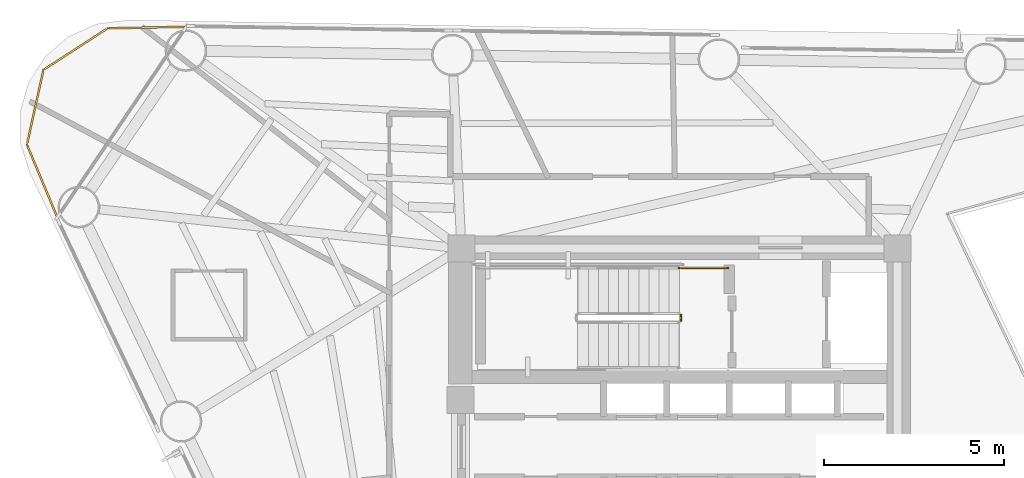
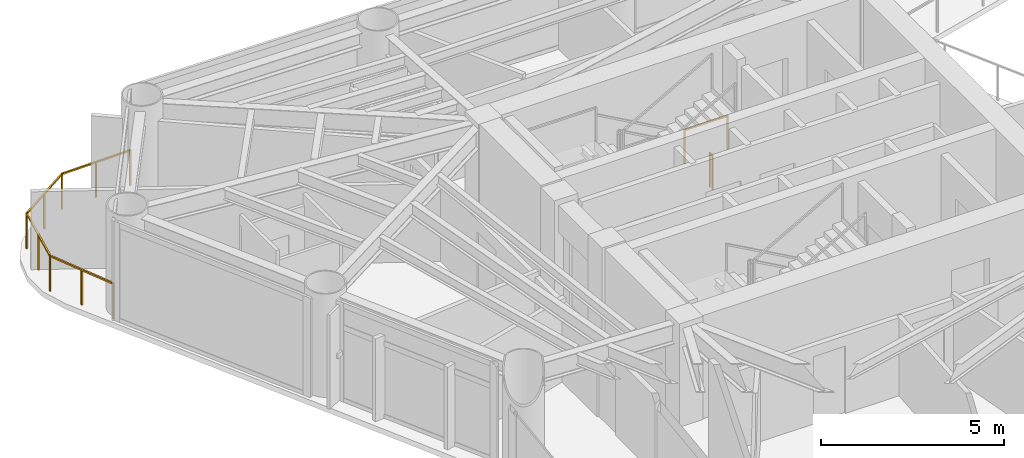
# One storey, part 8 of 9: 3 railings.
"""IFC4 building model written with IfcOpenShell, lengths in metres."""

from ifc_helpers import new_model, si_unit, direction, frame, origin, origin_2d, place, context, subcontext, project, spatial, rectangle, extrude, material, type_object, element, save


model = new_model("IFC4")

# Units and contexts
model_context = context("Model", 3, precision=1e-05, world=origin(), true_north=direction((0.0, 1.0)))
body_context = subcontext(model_context, "Body", "Model", "MODEL_VIEW")
ifc_project = project(units=[si_unit("LENGTHUNIT", "METRE"), si_unit("AREAUNIT", "SQUARE_METRE"), si_unit("VOLUMEUNIT", "CUBIC_METRE"), si_unit("PLANEANGLEUNIT", "RADIAN"), si_unit("MASSUNIT", "GRAM", prefix="KILO")], contexts=[model_context])

# Site, building, storey
site_placement = place(None, origin())
site = spatial("IfcSite", under=ifc_project, at=site_placement, CompositionType="ELEMENT")
building_placement = place(site_placement, origin())
building = spatial("IfcBuilding", under=site, at=building_placement, Name="Yunling Apex Tower", CompositionType="ELEMENT")
storey_placement = place(building_placement, frame((0.0, 0.0, 194.89990234375)))
storey = spatial("IfcBuildingStorey", under=building, at=storey_placement, Name="L47", CompositionType="ELEMENT", Elevation=194.89990234375)

# Railings
ifc_material_1 = material(Name="Bronze anodised aluminium", Category="aluminium")
railing_type_1 = type_object("IfcRailingType", Name="RL-BAL-1200", PredefinedType="BALUSTRADE", material=ifc_material_1)
railing_1_placement = place(storey_placement, frame((-17.253662109375, 6.364990234375, 0.0)))
element("IfcRailing", 1, at=railing_1_placement, inside=storey, type_object=railing_type_1, Name="RL-CRNSILL-L47-2", PredefinedType="BALUSTRADE", context=body_context, shape_type="SweptSolid", body=[
    extrude(rectangle(XDim=0.0439453125, YDim=0.0439453125, at=origin_2d()), origin(), (0.0, 0.0, 1.0), 1.199951171875),
    extrude(rectangle(XDim=0.0439453125, YDim=0.0439453125, at=origin_2d()), frame((-0.842529296875, 2.01416015625, 0.0)), (0.0, 0.0, 1.0), 1.199951171875),
    extrude(rectangle(XDim=0.050048828125, YDim=0.050048828125, at=origin_2d()), frame((-0.014892578125, 0.035400390625, 1.1748046875), z_axis=(-0.385901306975, 0.922540070282, 0.0), x_axis=(-0.922540070282, -0.385901306975, 0.0)), (0.0, 0.0, 1.0), 2.106689453125),
    extrude(rectangle(XDim=0.0439453125, YDim=0.0439453125, at=origin_2d()), frame((-0.42138671875, 1.007080078125, 0.0)), (0.0, 0.0, 1.0), 1.14599609375),
    extrude(rectangle(XDim=0.0439453125, YDim=0.0439453125, at=origin_2d()), frame((-0.384521484375, 4.089111328125, 0.0)), (0.0, 0.0, 1.0), 1.199951171875),
    extrude(rectangle(XDim=0.050048828125, YDim=0.050048828125, at=origin_2d()), frame((-0.834228515625, 2.051513671875, 1.1748046875), z_axis=(0.215543386307, 0.976494264509, 0.0), x_axis=(-0.976494264509, 0.215543386307, 0.0)), (0.0, 0.0, 1.0), 2.04833984375),
    extrude(rectangle(XDim=0.0439453125, YDim=0.0439453125, at=origin_2d()), frame((-0.613525390625, 3.0517578125, 0.0)), (0.0, 0.0, 1.0), 1.14599609375),
    extrude(rectangle(XDim=0.0439453125, YDim=0.0439453125, at=origin_2d()), frame((1.393310546875, 5.240234375, 0.0)), (0.0, 0.0, 1.0), 1.199951171875),
    extrude(rectangle(XDim=0.050048828125, YDim=0.050048828125, at=origin_2d()), frame((-0.352294921875, 4.10986328125, 1.1748046875), z_axis=(0.839406208654, 0.543504569322, 0.0), x_axis=(-0.543504569322, 0.839406208654, 0.0)), (0.0, 0.0, 1.0), 2.041259765625),
    extrude(rectangle(XDim=0.0439453125, YDim=0.0439453125, at=origin_2d()), frame((0.50439453125, 4.66455078125, 0.0)), (0.0, 0.0, 1.0), 1.14599609375),
    extrude(rectangle(XDim=0.0439453125, YDim=0.0439453125, at=origin_2d()), frame((3.5771484375, 5.284423828125, 0.0)), (0.0, 0.0, 1.0), 1.199951171875),
    extrude(rectangle(XDim=0.050048828125, YDim=0.050048828125, at=origin_2d()), frame((1.431640625, 5.240966796875, 1.1748046875), z_axis=(0.999795339927, 0.020230626778, 0.0), x_axis=(-0.020230626778, 0.999795339927, 0.0)), (0.0, 0.0, 1.0), 2.107666015625),
    extrude(rectangle(XDim=0.0439453125, YDim=0.0439453125, at=origin_2d()), frame((2.4853515625, 5.26220703125, 0.0)), (0.0, 0.0, 1.0), 1.14599609375),
])
ifc_material_2 = material(Name="Steel Q355B", Category="steel")
railing_type_2 = type_object("IfcRailingType", Name="RL-GRD-1150", PredefinedType="GUARDRAIL", material=ifc_material_2)
railing_2_placement = place(storey_placement, frame((0.0400390625, 3.64990234375, 0.0)))
element("IfcRailing", 2, at=railing_2_placement, inside=storey, type_object=railing_type_2, Name="L47 ST-1 stair guard 5", PredefinedType="GUARDRAIL", context=body_context, shape_type="SweptSolid", body=[
    extrude(rectangle(XDim=0.0439453125, YDim=0.0439453125, at=origin_2d()), origin(), (0.0, 0.0, 1.0), 1.14990234375),
    extrude(rectangle(XDim=0.0439453125, YDim=0.0439453125, at=origin_2d()), frame((0.0, -0.14990234375, 0.0)), (0.0, 0.0, 1.0), 1.14990234375),
    extrude(rectangle(XDim=0.050048828125, YDim=0.050048828125, at=origin_2d()), frame((0.0, -0.038330078125, 1.125), z_axis=(0.0, -1.0, 0.0), x_axis=(1.0, 0.0, 0.0)), (0.0, 0.0, 1.0), 0.0732421875),
])
railing_3_placement = place(storey_placement, frame((1.35009765625, 4.9599609375, 0.0)))
element("IfcRailing", 3, at=railing_3_placement, inside=storey, type_object=railing_type_2, Name="L47 ST-1 stair guard 6", PredefinedType="GUARDRAIL", context=body_context, shape_type="SweptSolid", body=[
    extrude(rectangle(XDim=0.0439453125, YDim=0.0439453125, at=origin_2d()), origin(), (0.0, 0.0, 1.0), 1.14990234375),
    extrude(rectangle(XDim=0.0439453125, YDim=0.0439453125, at=origin_2d()), frame((-1.360107421875, 0.0, 0.0)), (0.0, 0.0, 1.0), 1.14990234375),
    extrude(rectangle(XDim=0.050048828125, YDim=0.050048828125, at=origin_2d()), frame((-0.038330078125, 0.0, 1.125), z_axis=(-1.0, 0.0, 0.0), x_axis=(0.0, -1.0, 0.0)), (0.0, 0.0, 1.0), 1.283447265625),
])

save(model, "model.ifc")
